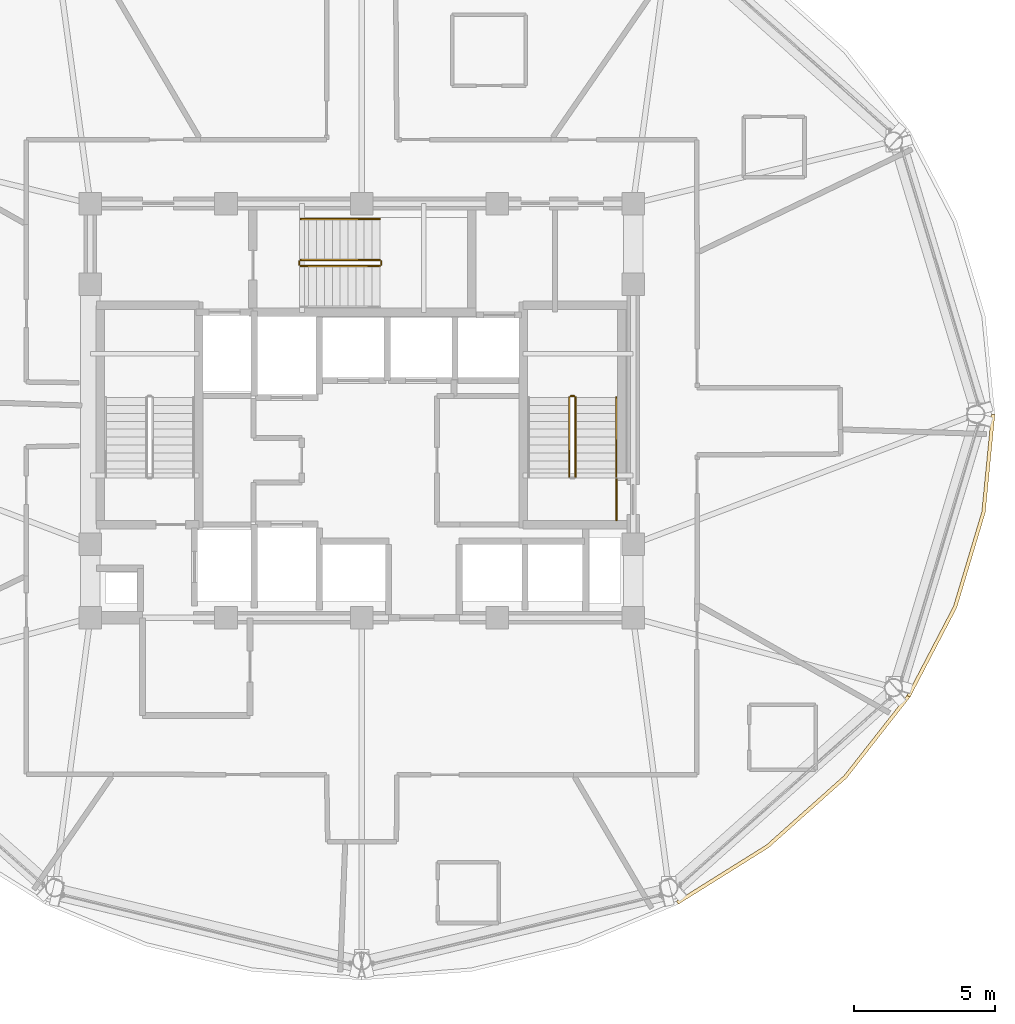
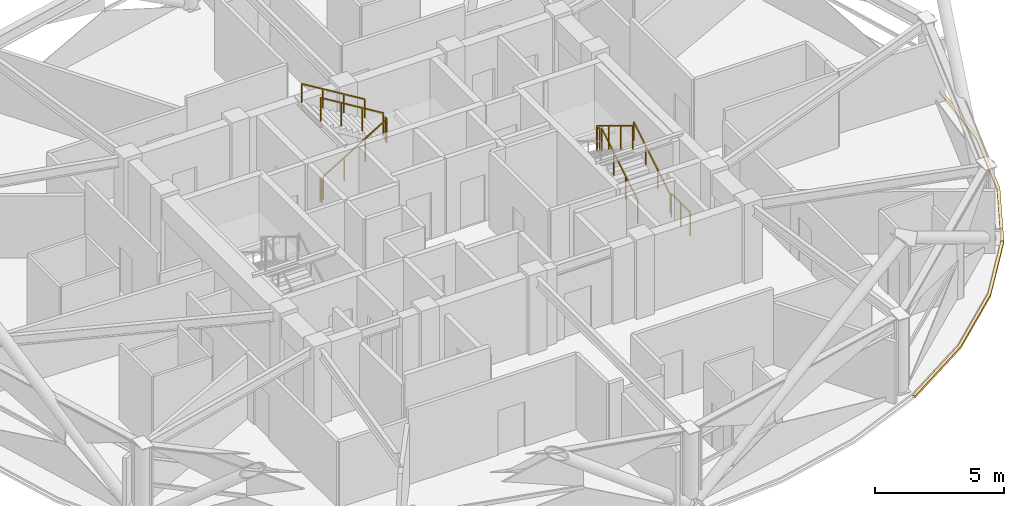
# One storey, part 28 of 29: 10 railings, 2 coverings.
"""IFC4 building model written with IfcOpenShell, lengths in metres."""

import ifcopenshell
import ifcopenshell.guid

model = None  # the IFC model being written
_history = None  # IfcOwnerHistory: only IFC2X3 demands one
_inside = {}  # id of a spatial element -> (the spatial element, [elements in it])
_under = {}  # id of a project, library or spatial element -> (it, [spatial elements below it])
_declared = {}  # id of a project -> (the project, [libraries it declares])
_typed = {}  # id of a type object -> (the type object, [elements of that type])
_made_of = {}  # id of a material, layer set ... -> (it, [elements and type objects made of it])


def new_model(schema):
    """Start an empty IFC model of exactly this schema.

    Asked for "IFC4X3", IfcOpenShell would pick the latest addendum, in which some entities
    have other attributes; the version numbers below select the first issue.
    IFC2X3 requires an IfcOwnerHistory on every rooted entity: one is made here for all.
    """
    global model, _history
    if schema == "IFC4X3":
        model = ifcopenshell.file(schema_version=(4, 3, 0, 0))
    else:
        model = ifcopenshell.file(schema=schema)
    _inside.clear()
    _under.clear()
    _declared.clear()
    _typed.clear()
    _made_of.clear()
    _history = None
    if model.schema == "IFC2X3":
        org = make("IfcOrganization", Name="unknown")
        user = make(
            "IfcPersonAndOrganization",
            ThePerson=make("IfcPerson", FamilyName="unknown"),
            TheOrganization=org,
        )
        app = make(
            "IfcApplication",
            ApplicationDeveloper=org,
            Version="unknown",
            ApplicationFullName="unknown",
            ApplicationIdentifier="unknown",
        )
        _history = make(
            "IfcOwnerHistory",
            OwningUser=user,
            OwningApplication=app,
            ChangeAction="ADDED",
            CreationDate=0,
        )
    return model


def make(cls, **values):
    """One entity of the class cls with the attributes given. An attribute that is None is left unset."""
    return model.create_entity(
        cls, **{name: value for name, value in values.items() if value is not None}
    )


def rooted(cls, **values):
    """An entity with a GlobalId (a new one), such as an element, a storey or a relation."""
    return make(cls, GlobalId=ifcopenshell.guid.new(), OwnerHistory=_history, **values)


def si_unit(unit_type, name, prefix=None):
    """IfcSIUnit, for example si_unit("LENGTHUNIT", "METRE", prefix="MILLI")."""
    return make("IfcSIUnit", UnitType=unit_type, Prefix=prefix, Name=name)


def assignment(units):
    """IfcUnitAssignment: the units of a project."""
    return None if units is None else make("IfcUnitAssignment", Units=units)


def point(xyz):
    """IfcCartesianPoint."""
    return None if xyz is None else make("IfcCartesianPoint", Coordinates=xyz)


def direction(xyz):
    """IfcDirection."""
    return None if xyz is None else make("IfcDirection", DirectionRatios=xyz)


def frame(location, z_axis=None, x_axis=None):
    """IfcAxis2Placement3D, a coordinate frame: its origin and axes. An axis left out is left unset."""
    return make(
        "IfcAxis2Placement3D",
        Location=point(location),
        Axis=direction(z_axis),
        RefDirection=direction(x_axis),
    )


def frame_2d(location, x_axis=None):
    """IfcAxis2Placement2D, a coordinate frame in the plane: its origin and x axis."""
    return make(
        "IfcAxis2Placement2D", Location=point(location), RefDirection=direction(x_axis)
    )


def origin():
    """The frame at (0, 0, 0) with its axes left unset."""
    return frame((0.0, 0.0, 0.0))


def origin_2d():
    """The frame at (0, 0) in the plane with its x axis left unset."""
    return frame_2d((0.0, 0.0))


def place(relative_to, where):
    """IfcLocalPlacement: puts the frame where relative to a parent placement (None: the world)."""
    return make(
        "IfcLocalPlacement", PlacementRelTo=relative_to, RelativePlacement=where
    )


def context(
    kind, dimensions, precision=None, world=None, true_north=None, identifier=None
):
    """IfcGeometricRepresentationContext, for example the 3D "Model" context."""
    return make(
        "IfcGeometricRepresentationContext",
        ContextIdentifier=identifier,
        ContextType=kind,
        CoordinateSpaceDimension=dimensions,
        Precision=precision,
        WorldCoordinateSystem=world,
        TrueNorth=true_north,
    )


def subcontext(parent, identifier, kind, view, scale=None):
    """IfcGeometricRepresentationSubContext, for example "Body" below "Model"."""
    return make(
        "IfcGeometricRepresentationSubContext",
        ContextIdentifier=identifier,
        ContextType=kind,
        ParentContext=parent,
        TargetScale=scale,
        TargetView=view,
    )


def project(units=None, contexts=None):
    """IfcProject with its units and contexts."""
    return rooted(
        "IfcProject",
        Name="project",
        RepresentationContexts=contexts,
        UnitsInContext=assignment(units),
    )


def spatial(cls, under=None, at=None, **own):
    """A site, building, storey or space (cls), placed at a placement, below another one or the project."""
    s = rooted(cls, ObjectPlacement=at, **own)
    if under is not None:
        _under.setdefault(under.id(), (under, []))[1].append(s)
    return s


def polyline(points):
    """IfcPolyline through the points."""
    return make("IfcPolyline", Points=[point(p) for p in points])


def profile(cls, at=None, kind="AREA", **sizes):
    """A parametric profile (cls). Its sizes go by their IFC names, for example OverallWidth=200.0."""
    return make(cls, ProfileType=kind, Position=at, **sizes)


def rectangle(**sizes):
    """IfcRectangleProfileDef."""
    return profile("IfcRectangleProfileDef", **sizes)


def outline(outer, holes=None, kind="AREA"):
    """IfcArbitraryClosedProfileDef: a profile drawn as a closed curve; with holes, ...WithVoids."""
    if holes is None:
        return make("IfcArbitraryClosedProfileDef", ProfileType=kind, OuterCurve=outer)
    return make(
        "IfcArbitraryProfileDefWithVoids",
        ProfileType=kind,
        OuterCurve=outer,
        InnerCurves=holes,
    )


def extrude(swept, where, along, depth):
    """IfcExtrudedAreaSolid: the profile swept, set in the frame where, extruded along a direction by depth."""
    return make(
        "IfcExtrudedAreaSolid",
        SweptArea=swept,
        Position=where,
        ExtrudedDirection=direction(along),
        Depth=depth,
    )


def shape(context_of_items, identifier, shape_type, items):
    """IfcShapeRepresentation: the items that make up one representation, for example the "Body"."""
    return make(
        "IfcShapeRepresentation",
        ContextOfItems=context_of_items,
        RepresentationIdentifier=identifier,
        RepresentationType=shape_type,
        Items=items,
    )


def material(Name=None, Category=None):
    """IfcMaterial."""
    return make("IfcMaterial", Name=Name, Category=Category)


def layer(
    of_material, thickness, ventilated=None, Name=None, Category=None, Priority=None
):
    """IfcMaterialLayer: one layer of a wall or slab, of a material (None: an air gap)."""
    return make(
        "IfcMaterialLayer",
        Material=of_material,
        LayerThickness=thickness,
        IsVentilated=ventilated,
        Name=Name,
        Category=Category,
        Priority=Priority,
    )


def layer_set(layers, Name=None):
    """IfcMaterialLayerSet."""
    return make("IfcMaterialLayerSet", MaterialLayers=layers, LayerSetName=Name)


def made_of(thing, what):
    """Note that an element or type object is made of a material, layer set ...; save() writes the relation."""
    if what is not None:
        _made_of.setdefault(what.id(), (what, []))[1].append(thing)
    return thing


def type_object(cls, material=None, **own):
    """A type object (cls), such as IfcWallType, which elements share."""
    return made_of(rooted(cls, **own), material)


def element(
    cls,
    number,
    at=None,
    inside=None,
    cuts=None,
    type_object=None,
    material=None,
    context=None,
    identifier="Body",
    shape_type=None,
    held_by="IfcProductDefinitionShape",
    body=None,
    shapes=None,
    **own,
):
    """One element of the class cls, such as IfcWall. Its Tag is "e" and its number.

    at: its placement. inside: the storey or other place that contains it. cuts: it is an
    opening in that element (IfcRelVoidsElement). A single representation is given by context,
    identifier, shape_type and body (its items); several are given by shapes. held_by: the class
    of the entity that holds the representations. save() writes the other relations.
    """
    e = rooted(cls, Tag="e%d" % number, ObjectPlacement=at, **own)
    if body is not None:
        shapes = [shape(context, identifier, shape_type, body)]
    if shapes is not None:
        e.Representation = make(held_by, Representations=shapes)
    if inside is not None:
        _inside.setdefault(inside.id(), (inside, []))[1].append(e)
    if cuts is not None:
        rooted(
            "IfcRelVoidsElement", RelatingBuildingElement=cuts, RelatedOpeningElement=e
        )
    if type_object is not None:
        _typed.setdefault(type_object.id(), (type_object, []))[1].append(e)
    return made_of(e, material)


def aggregate(whole, parts):
    """IfcRelAggregates: a whole, such as a stair, and the parts it consists of."""
    return rooted("IfcRelAggregates", RelatingObject=whole, RelatedObjects=parts)


def save(model, path):
    """Write the relations noted so far, then the file.

    IfcRelAggregates (storeys below a building ...), IfcRelContainedInSpatialStructure (elements
    in a storey), IfcRelDefinesByType, IfcRelAssociatesMaterial and IfcRelDeclares: one each for
    every whole, place, type object, material and project.
    """
    for whole, parts in _under.values():
        aggregate(whole, parts)
    for where, things in _inside.values():
        rooted(
            "IfcRelContainedInSpatialStructure",
            RelatedElements=things,
            RelatingStructure=where,
        )
    for kind, things in _typed.values():
        rooted("IfcRelDefinesByType", RelatedObjects=things, RelatingType=kind)
    for what, things in _made_of.values():
        rooted("IfcRelAssociatesMaterial", RelatedObjects=things, RelatingMaterial=what)
    for by, libraries in _declared.values():
        rooted("IfcRelDeclares", RelatingContext=by, RelatedDefinitions=libraries)
    model.write(path)


model = new_model("IFC4")

# Units and contexts
model_context = context("Model", 3, precision=1e-05, world=origin(), true_north=direction((0.0, 1.0)))
body_context = subcontext(model_context, "Body", "Model", "MODEL_VIEW")
ifc_project = project(units=[si_unit("LENGTHUNIT", "METRE"), si_unit("AREAUNIT", "SQUARE_METRE"), si_unit("VOLUMEUNIT", "CUBIC_METRE"), si_unit("PLANEANGLEUNIT", "RADIAN"), si_unit("MASSUNIT", "GRAM", prefix="KILO")], contexts=[model_context])

# Site, building, storey
site_placement = place(None, origin())
site = spatial("IfcSite", under=ifc_project, at=site_placement, CompositionType="ELEMENT")
building_placement = place(site_placement, origin())
building = spatial("IfcBuilding", under=site, at=building_placement, Name="Vantalir Tower", CompositionType="ELEMENT")
storey_placement = place(building_placement, frame((0.0, 0.0, 234.89990234375)))
storey = spatial("IfcBuildingStorey", under=building, at=storey_placement, Name="L59", CompositionType="ELEMENT", Elevation=234.89990234375)

# Coverings
ifc_material_1 = material(Name="Anodised champagne aluminium sill fascia", Category="aluminium")
ifc_layer = layer(ifc_material_1, 0.125)
ifc_layer_set = layer_set([ifc_layer], Name="Anodised champagne aluminium sill fascia")
covering_type = type_object("IfcCoveringType", Name="COV-SLAB-FASCIA-125", PredefinedType="CLADDING", material=ifc_layer_set)
covering_1_placement = place(storey_placement, frame((0.0, 0.0, -0.179931640625)))
element("IfcCovering", 1, at=covering_1_placement, inside=storey, type_object=covering_type, Name="L59 Perimeter Slab-Edge Sill Fascia 11", PredefinedType="CLADDING", context=body_context, shape_type="SweptSolid", body=[
    extrude(outline(polyline([(42.697021484375, 7.673095703125), (45.89404296875, 9.673095703125), (48.654052734375, 12.138916015625), (50.89306640625, 14.99609375), (50.784912109375, 15.05810546875), (48.55810546875, 12.218994140625), (45.81396484375, 9.76904296875), (42.634033203125, 7.781005859375), (42.697021484375, 7.673095703125)])), origin(), (0.0, 0.0, 1.0), 0.10498046875),
])
covering_2_placement = place(storey_placement, frame((0.0, 0.0, -0.179931640625)))
element("IfcCovering", 2, at=covering_2_placement, inside=storey, type_object=covering_type, Name="L59 Perimeter Slab-Edge Sill Fascia 12", PredefinedType="CLADDING", context=body_context, shape_type="SweptSolid", body=[
    extrude(outline(polyline([(50.89306640625, 14.99609375), (52.54296875, 18.156982421875), (53.552978515625, 21.52587890625), (53.89306640625, 25.0), (53.76806640625, 25.0), (53.429931640625, 21.547119140625), (52.425048828125, 18.199951171875), (50.784912109375, 15.05810546875), (50.89306640625, 14.99609375)])), origin(), (0.0, 0.0, 1.0), 0.10498046875),
])

# Railings
ifc_material_2 = material(Name="Anodised aluminium and stainless steel guard", Category="steel")
railing_type_1 = type_object("IfcRailingType", Name="RAL-GUARD-1120", PredefinedType="GUARDRAIL", material=ifc_material_2)
railing_1_placement = place(storey_placement, frame((39.06005859375, 22.7900390625, 0.170654296875)))
element("IfcRailing", 3, at=railing_1_placement, inside=storey, type_object=railing_type_1, Name="L59 ST2 stair guard 1", PredefinedType="GUARDRAIL", context=body_context, shape_type="SweptSolid", body=[
    extrude(rectangle(XDim=0.048095703125, YDim=0.048095703125, at=origin_2d()), frame((0.0, 0.0, 1.09619140625), z_axis=(0.0, 0.854202870247, 0.519939858505), x_axis=(-1.0, 0.0, 0.0)), (0.0, 0.0, 1.0), 3.278076171875),
    extrude(rectangle(XDim=0.0419921875, YDim=0.0419921875, at=origin_2d()), origin(), (0.0, 0.0, 1.0), 1.072021484375),
    extrude(rectangle(XDim=0.0419921875, YDim=0.0419921875, at=origin_2d()), frame((0.0, 0.933349609375, 0.568115234375)), (0.0, 0.0, 1.0), 1.072021484375),
    extrude(rectangle(XDim=0.0419921875, YDim=0.0419921875, at=origin_2d()), frame((0.0, 1.86669921875, 1.13623046875)), (0.0, 0.0, 1.0), 1.072021484375),
    extrude(rectangle(XDim=0.0419921875, YDim=0.0419921875, at=origin_2d()), frame((0.0, 2.800048828125, 1.704345703125)), (0.0, 0.0, 1.0), 1.072021484375),
])
railing_2_placement = place(storey_placement, frame((39.010009765625, 25.639892578125, 1.875)))
element("IfcRailing", 4, at=railing_2_placement, inside=storey, type_object=railing_type_1, Name="L59 ST2 stair guard 2", PredefinedType="GUARDRAIL", context=body_context, shape_type="SweptSolid", body=[
    extrude(rectangle(XDim=0.048095703125, YDim=0.048095703125, at=origin_2d()), frame((0.0, 0.0, 1.09619140625), z_axis=(-1.0, 0.0, 0.0), x_axis=(0.0, -1.0, 0.0)), (0.0, 0.0, 1.0), 0.1201171875),
    extrude(rectangle(XDim=0.0419921875, YDim=0.0419921875, at=origin_2d()), origin(), (0.0, 0.0, 1.0), 1.072021484375),
    extrude(rectangle(XDim=0.0419921875, YDim=0.0419921875, at=origin_2d()), frame((-0.1201171875, 0.0, 0.0)), (0.0, 0.0, 1.0), 1.072021484375),
])
railing_3_placement = place(storey_placement, frame((38.840087890625, 25.590087890625, 2.045654296875)))
element("IfcRailing", 5, at=railing_3_placement, inside=storey, type_object=railing_type_1, Name="L59 ST2 stair guard 3", PredefinedType="GUARDRAIL", context=body_context, shape_type="SweptSolid", body=[
    extrude(rectangle(XDim=0.048095703125, YDim=0.048095703125, at=origin_2d()), frame((0.0, 0.0, 1.09619140625), z_axis=(0.0, -0.854202870247, 0.519939858505), x_axis=(1.0, 0.0, 0.0)), (0.0, 0.0, 1.0), 3.278076171875),
    extrude(rectangle(XDim=0.0419921875, YDim=0.0419921875, at=origin_2d()), origin(), (0.0, 0.0, 1.0), 1.072021484375),
    extrude(rectangle(XDim=0.0419921875, YDim=0.0419921875, at=origin_2d()), frame((0.0, -0.933349609375, 0.568115234375)), (0.0, 0.0, 1.0), 1.072021484375),
    extrude(rectangle(XDim=0.0419921875, YDim=0.0419921875, at=origin_2d()), frame((0.0, -1.86669921875, 1.13623046875)), (0.0, 0.0, 1.0), 1.072021484375),
    extrude(rectangle(XDim=0.0419921875, YDim=0.0419921875, at=origin_2d()), frame((0.0, -2.800048828125, 1.704345703125)), (0.0, 0.0, 1.0), 1.072021484375),
])
railing_4_placement = place(storey_placement, frame((29.340087890625, 30.239990234375, 0.170654296875)))
element("IfcRailing", 6, at=railing_4_placement, inside=storey, type_object=railing_type_1, Name="L59 ST3 stair guard 1", PredefinedType="GUARDRAIL", context=body_context, shape_type="SweptSolid", body=[
    extrude(rectangle(XDim=0.048095703125, YDim=0.048095703125, at=origin_2d()), frame((0.0, 0.0, 1.09619140625), z_axis=(0.854182733786, 0.0, 0.519972939009), x_axis=(0.0, 1.0, 0.0)), (0.0, 0.0, 1.0), 3.27783203125),
    extrude(rectangle(XDim=0.0419921875, YDim=0.0419921875, at=origin_2d()), origin(), (0.0, 0.0, 1.0), 1.072021484375),
    extrude(rectangle(XDim=0.0419921875, YDim=0.0419921875, at=origin_2d()), frame((0.933349609375, 0.0, 0.568115234375)), (0.0, 0.0, 1.0), 1.072021484375),
    extrude(rectangle(XDim=0.0419921875, YDim=0.0419921875, at=origin_2d()), frame((1.866455078125, 0.0, 1.13623046875)), (0.0, 0.0, 1.0), 1.072021484375),
    extrude(rectangle(XDim=0.0419921875, YDim=0.0419921875, at=origin_2d()), frame((2.7998046875, 0.0, 1.704345703125)), (0.0, 0.0, 1.0), 1.072021484375),
])
railing_5_placement = place(storey_placement, frame((32.18994140625, 30.2900390625, 1.875)))
element("IfcRailing", 7, at=railing_5_placement, inside=storey, type_object=railing_type_1, Name="L59 ST3 stair guard 2", PredefinedType="GUARDRAIL", context=body_context, shape_type="SweptSolid", body=[
    extrude(rectangle(XDim=0.048095703125, YDim=0.048095703125, at=origin_2d()), frame((0.0, 0.0, 1.09619140625), z_axis=(0.0, 1.0, 0.0), x_axis=(-1.0, 0.0, 0.0)), (0.0, 0.0, 1.0), 0.119873046875),
    extrude(rectangle(XDim=0.0419921875, YDim=0.0419921875, at=origin_2d()), origin(), (0.0, 0.0, 1.0), 1.072021484375),
    extrude(rectangle(XDim=0.0419921875, YDim=0.0419921875, at=origin_2d()), frame((0.0, 0.119873046875, 0.0)), (0.0, 0.0, 1.0), 1.072021484375),
])
railing_6_placement = place(storey_placement, frame((32.139892578125, 30.4599609375, 2.045654296875)))
element("IfcRailing", 8, at=railing_6_placement, inside=storey, type_object=railing_type_1, Name="L59 ST3 stair guard 3", PredefinedType="GUARDRAIL", context=body_context, shape_type="SweptSolid", body=[
    extrude(rectangle(XDim=0.048095703125, YDim=0.048095703125, at=origin_2d()), frame((0.0, 0.0, 1.09619140625), z_axis=(-0.854182733786, 0.0, 0.519972939009), x_axis=(0.0, -1.0, 0.0)), (0.0, 0.0, 1.0), 3.27783203125),
    extrude(rectangle(XDim=0.0419921875, YDim=0.0419921875, at=origin_2d()), origin(), (0.0, 0.0, 1.0), 1.072021484375),
    extrude(rectangle(XDim=0.0419921875, YDim=0.0419921875, at=origin_2d()), frame((-0.933349609375, 0.0, 0.568115234375)), (0.0, 0.0, 1.0), 1.072021484375),
    extrude(rectangle(XDim=0.0419921875, YDim=0.0419921875, at=origin_2d()), frame((-1.866455078125, 0.0, 1.13623046875)), (0.0, 0.0, 1.0), 1.072021484375),
    extrude(rectangle(XDim=0.0419921875, YDim=0.0419921875, at=origin_2d()), frame((-2.7998046875, 0.0, 1.704345703125)), (0.0, 0.0, 1.0), 1.072021484375),
])
railing_7_placement = place(storey_placement, frame((29.2900390625, 30.2900390625, 0.0)))
element("IfcRailing", 9, at=railing_7_placement, inside=storey, type_object=railing_type_1, Name="L59 ST3 stair guard 4", PredefinedType="GUARDRAIL", context=body_context, shape_type="SweptSolid", body=[
    extrude(rectangle(XDim=0.048095703125, YDim=0.048095703125, at=origin_2d()), frame((0.0, 0.0, 1.09619140625), z_axis=(0.0, 1.0, 0.0), x_axis=(-1.0, 0.0, 0.0)), (0.0, 0.0, 1.0), 0.119873046875),
    extrude(rectangle(XDim=0.0419921875, YDim=0.0419921875, at=origin_2d()), origin(), (0.0, 0.0, 1.0), 1.072021484375),
    extrude(rectangle(XDim=0.0419921875, YDim=0.0419921875, at=origin_2d()), frame((0.0, 0.119873046875, 0.0)), (0.0, 0.0, 1.0), 1.072021484375),
])
railing_8_placement = place(storey_placement, frame((40.510009765625, 21.260009765625, 0.0)))
element("IfcRailing", 10, at=railing_8_placement, inside=storey, type_object=railing_type_1, Name="L59 Stair ST2 Doorway Landing Guard", PredefinedType="GUARDRAIL", context=body_context, shape_type="SweptSolid", body=[
    extrude(rectangle(XDim=0.048095703125, YDim=0.048095703125, at=origin_2d()), frame((0.0, 0.0, 1.1259765625), z_axis=(0.0, 1.0, 0.0), x_axis=(-1.0, 0.0, 0.0)), (0.0, 0.0, 1.0), 1.43994140625),
    extrude(rectangle(XDim=0.0419921875, YDim=0.0419921875, at=origin_2d()), origin(), (0.0, 0.0, 1.0), 1.101806640625),
    extrude(rectangle(XDim=0.0419921875, YDim=0.0419921875, at=origin_2d()), frame((0.0, 0.719970703125, 0.0)), (0.0, 0.0, 1.0), 1.101806640625),
    extrude(rectangle(XDim=0.0419921875, YDim=0.0419921875, at=origin_2d()), frame((0.0, 1.43994140625, 0.0)), (0.0, 0.0, 1.0), 1.101806640625),
])
ifc_material_3 = material(Name="Brushed stainless steel tubular handrail", Category="steel")
railing_type_2 = type_object("IfcRailingType", Name="RAL-HANDRAIL-900", PredefinedType="HANDRAIL", material=ifc_material_3)
railing_9_placement = place(storey_placement, frame((40.5, 22.7900390625, 0.170654296875)))
element("IfcRailing", 11, at=railing_9_placement, inside=storey, type_object=railing_type_2, Name="L59 ST2 stair handrail 1", PredefinedType="HANDRAIL", context=body_context, shape_type="SweptSolid", body=[
    extrude(rectangle(XDim=0.048095703125, YDim=0.048095703125, at=origin_2d()), frame((0.0, 0.0, 0.8759765625), z_axis=(0.0, 0.854202870247, 0.519939858505), x_axis=(-1.0, 0.0, 0.0)), (0.0, 0.0, 1.0), 3.278076171875),
    extrude(rectangle(XDim=0.0419921875, YDim=0.0419921875, at=origin_2d()), origin(), (0.0, 0.0, 1.0), 0.851806640625),
    extrude(rectangle(XDim=0.0419921875, YDim=0.0419921875, at=origin_2d()), frame((0.0, 0.933349609375, 0.568115234375)), (0.0, 0.0, 1.0), 0.851806640625),
    extrude(rectangle(XDim=0.0419921875, YDim=0.0419921875, at=origin_2d()), frame((0.0, 1.86669921875, 1.13623046875)), (0.0, 0.0, 1.0), 0.851806640625),
    extrude(rectangle(XDim=0.0419921875, YDim=0.0419921875, at=origin_2d()), frame((0.0, 2.800048828125, 1.704345703125)), (0.0, 0.0, 1.0), 0.851806640625),
])
railing_10_placement = place(storey_placement, frame((32.139892578125, 31.89990234375, 2.045654296875)))
element("IfcRailing", 12, at=railing_10_placement, inside=storey, type_object=railing_type_2, Name="L59 ST3 stair handrail 2", PredefinedType="HANDRAIL", context=body_context, shape_type="SweptSolid", body=[
    extrude(rectangle(XDim=0.048095703125, YDim=0.048095703125, at=origin_2d()), frame((0.0, 0.0, 0.8759765625), z_axis=(-0.854182733786, 0.0, 0.519972939009), x_axis=(0.0, -1.0, 0.0)), (0.0, 0.0, 1.0), 3.27783203125),
    extrude(rectangle(XDim=0.0419921875, YDim=0.0419921875, at=origin_2d()), origin(), (0.0, 0.0, 1.0), 0.851806640625),
    extrude(rectangle(XDim=0.0419921875, YDim=0.0419921875, at=origin_2d()), frame((-0.933349609375, 0.0, 0.568115234375)), (0.0, 0.0, 1.0), 0.851806640625),
    extrude(rectangle(XDim=0.0419921875, YDim=0.0419921875, at=origin_2d()), frame((-1.866455078125, 0.0, 1.13623046875)), (0.0, 0.0, 1.0), 0.851806640625),
    extrude(rectangle(XDim=0.0419921875, YDim=0.0419921875, at=origin_2d()), frame((-2.7998046875, 0.0, 1.704345703125)), (0.0, 0.0, 1.0), 0.851806640625),
])

save(model, "model.ifc")
